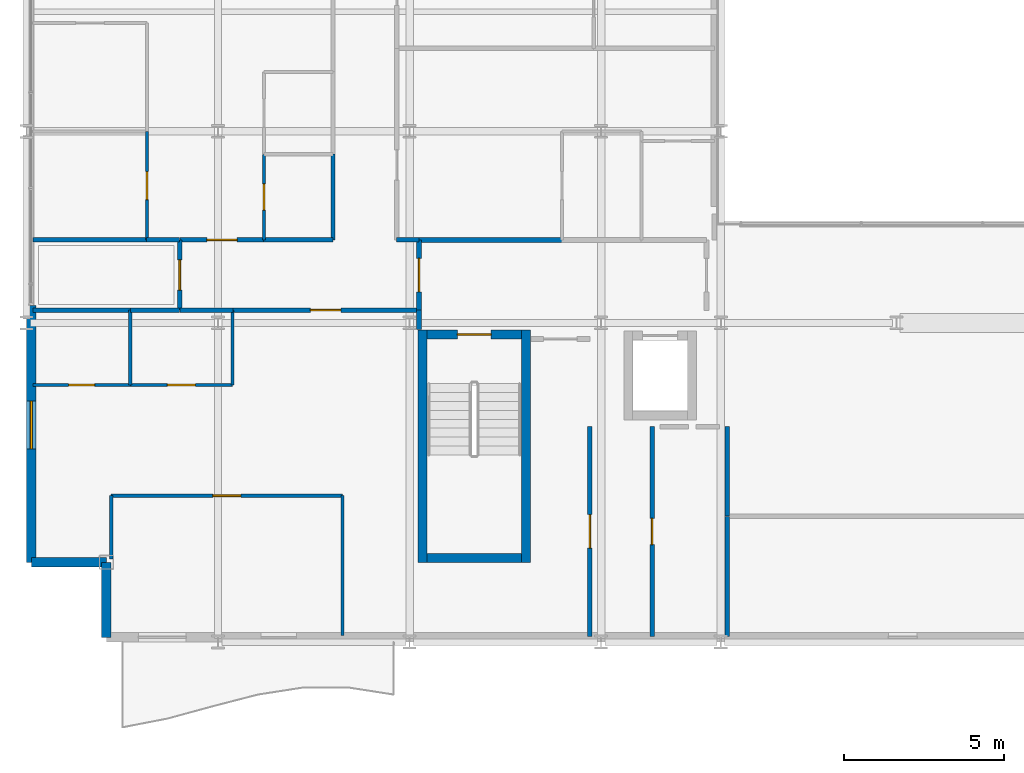
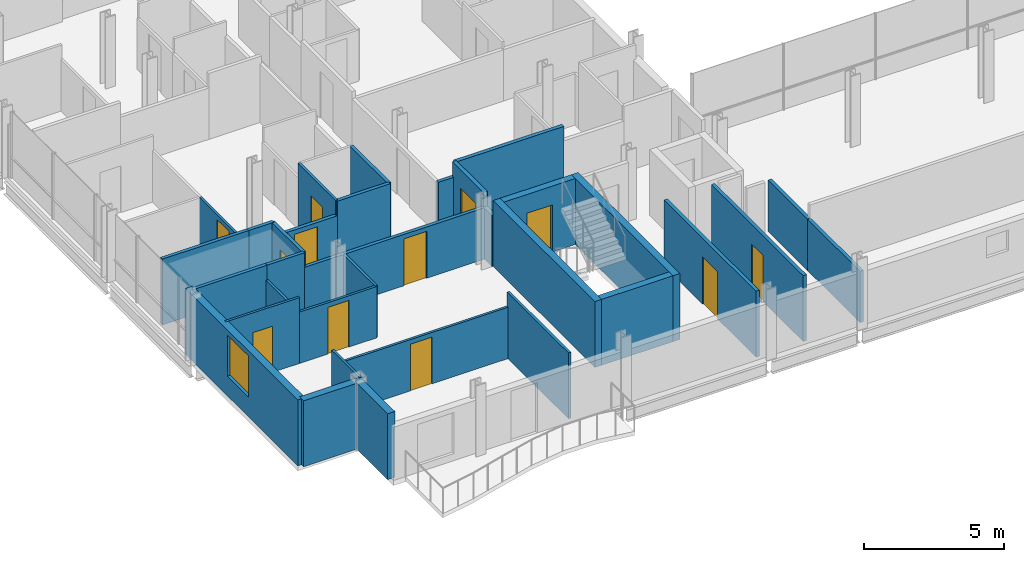
# One storey, part 31 of 40: 34 walls, 12 doors, 1 window, 13 openings.
"""IFC4 building model written with IfcOpenShell, lengths in metres."""

from ifc_helpers import new_model, si_unit, direction, frame, frame_2d, origin, place, context, subcontext, project, spatial, rectangle, extrude, material, layer, layer_set, type_object, element, fill, save


model = new_model("IFC4")

# Units and contexts
model_context = context("Model", 3, precision=1e-05, world=origin(), true_north=direction((0.0, 1.0)))
body_context = subcontext(model_context, "Body", "Model", "MODEL_VIEW")
ifc_project = project(units=[si_unit("LENGTHUNIT", "METRE"), si_unit("AREAUNIT", "SQUARE_METRE"), si_unit("VOLUMEUNIT", "CUBIC_METRE"), si_unit("PLANEANGLEUNIT", "RADIAN"), si_unit("MASSUNIT", "GRAM", prefix="KILO")], contexts=[model_context])

# Site, building, storey
site_placement = place(None, origin())
site = spatial("IfcSite", under=ifc_project, at=site_placement, CompositionType="ELEMENT")
building_placement = place(site_placement, origin())
building = spatial("IfcBuilding", under=site, at=building_placement, Name="Brevholm Reach", CompositionType="ELEMENT")
storey_placement = place(building_placement, frame((0.0, 0.0, 125.199951171875)))
storey = spatial("IfcBuildingStorey", under=building, at=storey_placement, Name="L37", CompositionType="ELEMENT", Elevation=125.199951171875)

# Walls
ifc_material_1 = material(Name="Concrete C50/60", Category="concrete")
ifc_layer_1 = layer(ifc_material_1, 0.280029296875)
ifc_layer_set_1 = layer_set([ifc_layer_1], Name="Concrete C50/60")
wall_type_1 = type_object("IfcWallType", Name="WAL-COR-280", PredefinedType="SHEAR", material=ifc_layer_set_1)
for number, where, z_axis, x_axis, name in (
    (1, (12.409912109375, 2.5, 0.0), (0.0, 0.0, 1.0), (0.0, 1.0, 0.0), "L37 Escape Stair ST-1 Core Wall W"),
    (2, (15.639892578125, 2.5, 0.0), (0.0, 0.0, 1.0), (0.0, 1.0, 0.0), "L37 Escape Stair ST-1 Core Wall E"),
):
    element("IfcWall", number, at=place(storey_placement, frame(where, z_axis=z_axis, x_axis=x_axis)), inside=storey, type_object=wall_type_1, Name=name, PredefinedType="SHEAR", context=body_context, shape_type="SweptSolid", body=[
        extrude(rectangle(XDim=7.280029296875, YDim=0.280029296875, at=frame_2d((3.64013671875, 0.0))), origin(), (0.0, 0.0, 1.0), 2.880126953125),
    ])
wall_1_placement = place(storey_placement, frame((12.550048828125, 2.639892578125, 0.0), z_axis=(0.0, 0.0, 1.0), x_axis=(1.0, 0.0, 0.0)))
element("IfcWall", 3, at=wall_1_placement, inside=storey, type_object=wall_type_1, Name="L37 Escape Stair ST-1 Core Wall S", PredefinedType="SHEAR", context=body_context, shape_type="SweptSolid", body=[
    extrude(rectangle(XDim=2.949951171875, YDim=0.280029296875, at=frame_2d((1.47509765625, 0.0))), origin(), (0.0, 0.0, 1.0), 2.880126953125),
])

# Wall, opening, door
wall_2_placement = place(storey_placement, frame((15.5, 9.639892578125, 0.0), z_axis=(0.0, 0.0, 1.0), x_axis=(-1.0, 0.0, 0.0)))
wall_2 = element("IfcWall", 4, at=wall_2_placement, inside=storey, type_object=wall_type_1, Name="L37 Escape Stair ST-1 Core Wall N", PredefinedType="SHEAR", context=body_context, shape_type="SweptSolid", body=[
    extrude(rectangle(XDim=2.949951171875, YDim=0.280029296875, at=frame_2d((1.47509765625, 0.0))), origin(), (0.0, 0.0, 1.0), 2.880126953125),
])
opening_1_placement = place(wall_2_placement, frame((0.949951171875, 0.0, 0.0)))
opening_1 = element("IfcOpeningElement", 5, at=opening_1_placement, cuts=wall_2, Name="Opening SD-ST-1", PredefinedType="OPENING", context=body_context, shape_type="SweptSolid", body=[
    extrude(rectangle(XDim=1.050048828125, YDim=2.06005859375, at=frame_2d((0.52490234375, 1.030029296875))), frame((0.0, 0.14990234375, 0.0), z_axis=(0.0, -1.0, 0.0), x_axis=(1.0, 0.0, 0.0)), (0.0, 0.0, 1.0), 0.300048828125),
])
ifc_material_2 = material(Name="Hardwood-Lipped Steel-Core Fire and Smoke Door", Category="steel")
door_type_1 = type_object("IfcDoorType", Name="DOR-INT-FD60S", OperationType="NOTDEFINED", PredefinedType="DOOR", material=ifc_material_2)
door_1_placement = place(opening_1_placement, origin())
door_1 = element("IfcDoor", 6, at=door_1_placement, inside=storey, type_object=door_type_1, Name="L37 Protected Stair ST-1 Lobby Door", OperationType="SINGLE_SWING_LEFT", OverallHeight=2.06005859375, OverallWidth=1.050048828125, PredefinedType="DOOR", context=body_context, shape_type="SweptSolid", body=[
    extrude(rectangle(XDim=1.050048828125, YDim=2.06005859375, at=frame_2d((0.52490234375, 1.030029296875))), frame((0.0, 0.02490234375, 0.0), z_axis=(0.0, -1.0, 0.0), x_axis=(1.0, 0.0, 0.0)), (0.0, 0.0, 1.0), 0.050048828125),
])
fill(opening_1, door_1)

# Walls
ifc_material_3 = material(Name="Concrete C40/50", Category="concrete")
ifc_layer_2 = layer(ifc_material_3, 0.300048828125)
ifc_layer_set_2 = layer_set([ifc_layer_2], Name="Concrete C40/50")
wall_type_2 = type_object("IfcWallType", Name="WAL-EXT-300", PredefinedType="STANDARD", material=ifc_layer_set_2)
for number, where, z_axis, x_axis, name in (
    (7, (2.5, 2.5, 0.0), (0.0, 0.0, 1.0), (0.0, -1.0, 0.0), "L37 Facade Wall WAL-L37-CSW1"),
    (8, (0.14990234375, 2.5, 0.0), (0.0, 0.0, 1.0), (1.0, 0.0, 0.0), "L37 Facade Wall WAL-L37-CSW2"),
):
    element("IfcWall", number, at=place(storey_placement, frame(where, z_axis=z_axis, x_axis=x_axis)), inside=storey, type_object=wall_type_2, Name=name, PredefinedType="STANDARD", context=body_context, shape_type="SweptSolid", body=[
        extrude(rectangle(XDim=2.35009765625, YDim=0.300048828125, at=frame_2d((1.175048828125, 0.0))), origin(), (0.0, 0.0, 1.0), 2.880126953125),
    ])

# Wall, opening, window
wall_3_placement = place(storey_placement, frame((0.14990234375, 10.550048828125, 0.0), z_axis=(0.0, 0.0, 1.0), x_axis=(0.0, -1.0, 0.0)))
wall_3 = element("IfcWall", 9, at=wall_3_placement, inside=storey, type_object=wall_type_2, Name="L37 Facade Wall WAL-L37-W-S", PredefinedType="STANDARD", context=body_context, shape_type="SweptSolid", body=[
    extrude(rectangle(XDim=8.050048828125, YDim=0.300048828125, at=frame_2d((4.02490234375, 0.0))), origin(), (0.0, 0.0, 1.0), 2.880126953125),
])
opening_2_placement = place(wall_3_placement, frame((3.0, 0.0, 0.860107421875)))
opening_2 = element("IfcOpeningElement", 10, at=opening_2_placement, cuts=wall_3, Name="Opening WN-05", PredefinedType="OPENING", context=body_context, shape_type="SweptSolid", body=[
    extrude(rectangle(XDim=1.5, YDim=1.800048828125, at=frame_2d((0.75, 0.89990234375))), frame((0.0, 0.159912109375, 0.0), z_axis=(0.0, -1.0, 0.0), x_axis=(1.0, 0.0, 0.0)), (0.0, 0.0, 1.0), 0.320068359375),
])
ifc_material_4 = material(Name="Dark Anodised Aluminium and Solar-Control IGU Glass", Category="aluminium")
window_type = type_object("IfcWindowType", Name="WIN-RES-1500", PartitioningType="SINGLE_PANEL", PredefinedType="WINDOW", material=ifc_material_4)
window_placement = place(opening_2_placement, origin())
window = element("IfcWindow", 11, at=window_placement, inside=storey, type_object=window_type, Name="L37 Window WIN-L37-WS-1", OverallHeight=1.800048828125, OverallWidth=1.5, PartitioningType="SINGLE_PANEL", PredefinedType="WINDOW", context=body_context, shape_type="SweptSolid", body=[
    extrude(rectangle(XDim=1.5, YDim=1.800048828125, at=frame_2d((0.75, 0.89990234375))), frame((0.0, 0.030029296875, 0.0), z_axis=(0.0, -1.0, 0.0), x_axis=(1.0, 0.0, 0.0)), (0.0, 0.0, 1.0), 0.06005859375),
])
fill(opening_2, window)

# Wall
ifc_material_5 = material(Name="Moisture-Resistant Acoustic Gypsum Stud Partition 100 mm", Category="gypsum")
ifc_layer_3 = layer(ifc_material_5, 0.10009765625)
ifc_layer_set_3 = layer_set([ifc_layer_3], Name="Moisture-Resistant Acoustic Gypsum Stud Partition 100 mm")
wall_type_3 = type_object("IfcWallType", Name="WAL-PRT-100", PredefinedType="PARTITIONING", material=ifc_layer_set_3)
wall_4_placement = place(storey_placement, frame((3.25, 8.053955078125, 0.0), z_axis=(0.0, 0.0, 1.0), x_axis=(0.0, 1.0, 0.0)))
element("IfcWall", 12, at=wall_4_placement, inside=storey, type_object=wall_type_3, Name="L37 Internal Partition 061", PredefinedType="PARTITIONING", context=body_context, shape_type="SweptSolid", body=[
    extrude(rectangle(XDim=2.345947265625, YDim=0.10009765625, at=frame_2d((1.1728515625, 0.0))), origin(), (0.0, 0.0, 1.0), 2.242919921875),
])

# Wall, opening, door
wall_5_placement = place(storey_placement, frame((0.199951171875, 8.053955078125, 0.0), z_axis=(0.0, 0.0, 1.0), x_axis=(1.0, 0.0, 0.0)))
wall_5 = element("IfcWall", 13, at=wall_5_placement, inside=storey, type_object=wall_type_3, Name="L37 Internal Partition 062", PredefinedType="PARTITIONING", context=body_context, shape_type="SweptSolid", body=[
    extrude(rectangle(XDim=3.050048828125, YDim=0.10009765625, at=frame_2d((1.52490234375, 0.0))), origin(), (0.0, 0.0, 1.0), 2.880126953125),
])
opening_3_placement = place(wall_5_placement, frame((1.114990234375, 0.0, 0.0)))
opening_3 = element("IfcOpeningElement", 14, at=opening_3_placement, cuts=wall_5, Name="Opening ID-03", PredefinedType="OPENING", context=body_context, shape_type="SweptSolid", body=[
    extrude(rectangle(XDim=0.820068359375, YDim=2.02001953125, at=frame_2d((0.41015625, 1.010009765625))), frame((0.0, 0.06005859375, 0.0), z_axis=(0.0, -1.0, 0.0), x_axis=(1.0, 0.0, 0.0)), (0.0, 0.0, 1.0), 0.1201171875),
])
ifc_material_6 = material(Name="Moisture-Resistant Painted Timber Internal Bathroom Door", Category="wood")
door_type_2 = type_object("IfcDoorType", Name="DOR-BATH-820", OperationType="NOTDEFINED", PredefinedType="DOOR", material=ifc_material_6)
door_2_placement = place(opening_3_placement, origin())
door_2 = element("IfcDoor", 15, at=door_2_placement, inside=storey, type_object=door_type_2, Name="L37 Internal Door 023", OperationType="SINGLE_SWING_LEFT", OverallHeight=2.02001953125, OverallWidth=0.820068359375, PredefinedType="DOOR", context=body_context, shape_type="SweptSolid", body=[
    extrude(rectangle(XDim=0.820068359375, YDim=2.02001953125, at=frame_2d((0.41015625, 1.010009765625))), frame((0.0, 0.02490234375, 0.0), z_axis=(0.0, -1.0, 0.0), x_axis=(1.0, 0.0, 0.0)), (0.0, 0.0, 1.0), 0.050048828125),
])
fill(opening_3, door_2)

wall_6_placement = place(storey_placement, frame((3.25390625, 8.053955078125, 0.0), z_axis=(0.0, 0.0, 1.0), x_axis=(1.0, 0.0, 0.0)))
wall_6 = element("IfcWall", 16, at=wall_6_placement, inside=storey, type_object=wall_type_3, Name="L37 Internal Partition 064", PredefinedType="PARTITIONING", context=body_context, shape_type="SweptSolid", body=[
    extrude(rectangle(XDim=3.196044921875, YDim=0.10009765625, at=frame_2d((1.59814453125, 0.0))), origin(), (0.0, 0.0, 1.0), 2.242919921875),
])
opening_4_placement = place(wall_6_placement, frame((1.157958984375, 0.0, 0.0)))
opening_4 = element("IfcOpeningElement", 17, at=opening_4_placement, cuts=wall_6, Name="Opening ID-01", PredefinedType="OPENING", context=body_context, shape_type="SweptSolid", body=[
    extrude(rectangle(XDim=0.8798828125, YDim=2.0400390625, at=frame_2d((0.43994140625, 1.02001953125))), frame((0.0, 0.06005859375, 0.0), z_axis=(0.0, -1.0, 0.0), x_axis=(1.0, 0.0, 0.0)), (0.0, 0.0, 1.0), 0.1201171875),
])
ifc_material_7 = material(Name="Lacquered Ash Solid-Core Acoustic Internal Door", Category="timber")
door_type_3 = type_object("IfcDoorType", Name="DOR-INT-880", OperationType="NOTDEFINED", PredefinedType="DOOR", material=ifc_material_7)
door_3_placement = place(opening_4_placement, origin())
door_3 = element("IfcDoor", 18, at=door_3_placement, inside=storey, type_object=door_type_3, Name="L37 Internal Door 024", OperationType="SINGLE_SWING_RIGHT", OverallHeight=2.0400390625, OverallWidth=0.8798828125, PredefinedType="DOOR", context=body_context, shape_type="SweptSolid", body=[
    extrude(rectangle(XDim=0.8798828125, YDim=2.0400390625, at=frame_2d((0.43994140625, 1.02001953125))), frame((0.0, 0.02490234375, 0.0), z_axis=(0.0, -1.0, 0.0), x_axis=(1.0, 0.0, 0.0)), (0.0, 0.0, 1.0), 0.050048828125),
])
fill(opening_4, door_3)

# Walls
wall_7_placement = place(storey_placement, frame((6.449951171875, 8.053955078125, 0.0), z_axis=(0.0, 0.0, 1.0), x_axis=(0.0, 1.0, 0.0)))
element("IfcWall", 19, at=wall_7_placement, inside=storey, type_object=wall_type_3, Name="L37 Internal Partition 065", PredefinedType="PARTITIONING", context=body_context, shape_type="SweptSolid", body=[
    extrude(rectangle(XDim=2.342041015625, YDim=0.10009765625, at=frame_2d((1.1708984375, 0.0))), origin(), (0.0, 0.0, 1.0), 2.242919921875),
])
wall_8_placement = place(storey_placement, frame((2.64990234375, 2.599365234375, 0.0), z_axis=(0.0, 0.0, 1.0), x_axis=(0.0, 1.0, 0.0)))
element("IfcWall", 20, at=wall_8_placement, inside=storey, type_object=wall_type_3, Name="L37 Internal Partition 067", PredefinedType="PARTITIONING", context=body_context, shape_type="SweptSolid", body=[
    extrude(rectangle(XDim=1.986572265625, YDim=0.10009765625, at=frame_2d((0.9931640625, 0.0))), origin(), (0.0, 0.0, 1.0), 2.880126953125),
])
wall_9_placement = place(storey_placement, frame((9.89990234375, 0.199951171875, 0.0), z_axis=(0.0, 0.0, 1.0), x_axis=(0.0, 1.0, 0.0)))
element("IfcWall", 21, at=wall_9_placement, inside=storey, type_object=wall_type_3, Name="L37 Internal Partition 068", PredefinedType="PARTITIONING", context=body_context, shape_type="SweptSolid", body=[
    extrude(rectangle(XDim=4.385986328125, YDim=0.10009765625, at=frame_2d((2.19287109375, 0.0))), origin(), (0.0, 0.0, 1.0), 2.880126953125),
])

# Wall, opening, door
wall_10_placement = place(storey_placement, frame((2.64990234375, 4.5859375, 0.0), z_axis=(0.0, 0.0, 1.0), x_axis=(1.0, 0.0, 0.0)))
wall_10 = element("IfcWall", 22, at=wall_10_placement, inside=storey, type_object=wall_type_3, Name="L37 Internal Partition 069", PredefinedType="PARTITIONING", context=body_context, shape_type="SweptSolid", body=[
    extrude(rectangle(XDim=7.25, YDim=0.10009765625, at=frame_2d((3.625, 0.0))), origin(), (0.0, 0.0, 1.0), 2.242919921875),
])
opening_5_placement = place(wall_10_placement, frame((3.18505859375, 0.0, 0.0)))
opening_5 = element("IfcOpeningElement", 23, at=opening_5_placement, cuts=wall_10, Name="Opening ID-01", PredefinedType="OPENING", context=body_context, shape_type="SweptSolid", body=[
    extrude(rectangle(XDim=0.8798828125, YDim=2.0400390625, at=frame_2d((0.43994140625, 1.02001953125))), frame((0.0, 0.06005859375, 0.0), z_axis=(0.0, -1.0, 0.0), x_axis=(1.0, 0.0, 0.0)), (0.0, 0.0, 1.0), 0.1201171875),
])
door_4_placement = place(opening_5_placement, origin())
door_4 = element("IfcDoor", 24, at=door_4_placement, inside=storey, type_object=door_type_3, Name="L37 Internal Door 025", OperationType="SINGLE_SWING_LEFT", OverallHeight=2.0400390625, OverallWidth=0.8798828125, PredefinedType="DOOR", context=body_context, shape_type="SweptSolid", body=[
    extrude(rectangle(XDim=0.8798828125, YDim=2.0400390625, at=frame_2d((0.43994140625, 1.02001953125))), frame((0.0, 0.02490234375, 0.0), z_axis=(0.0, -1.0, 0.0), x_axis=(1.0, 0.0, 0.0)), (0.0, 0.0, 1.0), 0.050048828125),
])
fill(opening_5, door_4)

wall_11_placement = place(storey_placement, frame((7.43798828125, 12.60400390625, 0.0), z_axis=(0.0, 0.0, 1.0), x_axis=(0.0, 1.0, 0.0)))
wall_11 = element("IfcWall", 25, at=wall_11_placement, inside=storey, type_object=wall_type_3, Name="L37 Internal Partition 085", PredefinedType="PARTITIONING", context=body_context, shape_type="SweptSolid", body=[
    extrude(rectangle(XDim=2.679931640625, YDim=0.10009765625, at=frame_2d((1.33984375, 0.0))), origin(), (0.0, 0.0, 1.0), 2.880126953125),
])
opening_6_placement = place(wall_11_placement, frame((0.929931640625, 0.0, 0.0)))
opening_6 = element("IfcOpeningElement", 26, at=opening_6_placement, cuts=wall_11, Name="Opening ID-03", PredefinedType="OPENING", context=body_context, shape_type="SweptSolid", body=[
    extrude(rectangle(XDim=0.820068359375, YDim=2.02001953125, at=frame_2d((0.41015625, 1.010009765625))), frame((0.0, 0.06005859375, 0.0), z_axis=(0.0, -1.0, 0.0), x_axis=(1.0, 0.0, 0.0)), (0.0, 0.0, 1.0), 0.1201171875),
])
door_5_placement = place(opening_6_placement, origin())
door_5 = element("IfcDoor", 27, at=door_5_placement, inside=storey, type_object=door_type_2, Name="L37 Internal Door 030", OperationType="SINGLE_SWING_RIGHT", OverallHeight=2.02001953125, OverallWidth=0.820068359375, PredefinedType="DOOR", context=body_context, shape_type="SweptSolid", body=[
    extrude(rectangle(XDim=0.820068359375, YDim=2.02001953125, at=frame_2d((0.41015625, 1.010009765625))), frame((0.0, 0.02490234375, 0.0), z_axis=(0.0, -1.0, 0.0), x_axis=(1.0, 0.0, 0.0)), (0.0, 0.0, 1.0), 0.050048828125),
])
fill(opening_6, door_5)

wall_12_placement = place(storey_placement, frame((3.77197265625, 12.60400390625, 0.0), z_axis=(0.0, 0.0, 1.0), x_axis=(0.0, 1.0, 0.0)))
wall_12 = element("IfcWall", 28, at=wall_12_placement, inside=storey, type_object=wall_type_3, Name="L37 Internal Partition 089", PredefinedType="PARTITIONING", context=body_context, shape_type="SweptSolid", body=[
    extrude(rectangle(XDim=3.39599609375, YDim=0.10009765625, at=frame_2d((1.697998046875, 0.0))), origin(), (0.0, 0.0, 1.0), 2.242919921875),
])
opening_7_placement = place(wall_12_placement, frame((1.258056640625, 0.0, 0.0)))
opening_7 = element("IfcOpeningElement", 29, at=opening_7_placement, cuts=wall_12, Name="Opening ID-01", PredefinedType="OPENING", context=body_context, shape_type="SweptSolid", body=[
    extrude(rectangle(XDim=0.8798828125, YDim=2.0400390625, at=frame_2d((0.43994140625, 1.02001953125))), frame((0.0, 0.06005859375, 0.0), z_axis=(0.0, -1.0, 0.0), x_axis=(1.0, 0.0, 0.0)), (0.0, 0.0, 1.0), 0.1201171875),
])
door_6_placement = place(opening_7_placement, origin())
door_6 = element("IfcDoor", 30, at=door_6_placement, inside=storey, type_object=door_type_3, Name="L37 Internal Door 032", OperationType="SINGLE_SWING_RIGHT", OverallHeight=2.0400390625, OverallWidth=0.8798828125, PredefinedType="DOOR", context=body_context, shape_type="SweptSolid", body=[
    extrude(rectangle(XDim=0.8798828125, YDim=2.0400390625, at=frame_2d((0.43994140625, 1.02001953125))), frame((0.0, 0.02490234375, 0.0), z_axis=(0.0, -1.0, 0.0), x_axis=(1.0, 0.0, 0.0)), (0.0, 0.0, 1.0), 0.050048828125),
])
fill(opening_7, door_6)

# Walls
ifc_material_8 = material(Name="Twin-Stud Acoustic Fire-Rated Gypsum Partition 140 mm", Category="gypsum")
ifc_layer_4 = layer(ifc_material_8, 0.139892578125)
ifc_layer_set_4 = layer_set([ifc_layer_4], Name="Twin-Stud Acoustic Fire-Rated Gypsum Partition 140 mm")
wall_type_4 = type_object("IfcWallType", Name="WAL-PRT-140", PredefinedType="PARTITIONING", material=ifc_layer_set_4)
wall_13_placement = place(storey_placement, frame((21.949951171875, 0.179931640625, 0.0), z_axis=(0.0, 0.0, 1.0), x_axis=(0.0, 1.0, 0.0)))
element("IfcWall", 31, at=wall_13_placement, inside=storey, type_object=wall_type_4, Name="L37 Internal Partition 004", PredefinedType="PARTITIONING", context=body_context, shape_type="SweptSolid", body=[
    extrude(rectangle(XDim=3.760009765625, YDim=0.139892578125, at=frame_2d((1.8798828125, 0.0))), origin(), (0.0, 0.0, 1.0), 2.242919921875),
])
wall_14_placement = place(storey_placement, frame((21.949951171875, 3.944091796875, 0.0), z_axis=(0.0, 0.0, 1.0), x_axis=(0.0, 1.0, 0.0)))
element("IfcWall", 32, at=wall_14_placement, inside=storey, type_object=wall_type_4, Name="L37 Internal Partition 005", PredefinedType="PARTITIONING", context=body_context, shape_type="SweptSolid", body=[
    extrude(rectangle(XDim=2.817138671875, YDim=0.139892578125, at=frame_2d((1.40869140625, 0.0))), origin(), (0.0, 0.0, 1.0), 2.242919921875),
])

# Wall, opening, door
wall_15_placement = place(storey_placement, frame((17.64990234375, 0.179931640625, 0.0), z_axis=(0.0, 0.0, 1.0), x_axis=(0.0, 1.0, 0.0)))
wall_15 = element("IfcWall", 33, at=wall_15_placement, inside=storey, type_object=wall_type_4, Name="L37 Internal Partition 006", PredefinedType="PARTITIONING", context=body_context, shape_type="SweptSolid", body=[
    extrude(rectangle(XDim=6.581298828125, YDim=0.139892578125, at=frame_2d((3.29052734375, 0.0))), origin(), (0.0, 0.0, 1.0), 2.880126953125),
])
opening_8_placement = place(wall_15_placement, frame((2.765625, 0.0, 0.0)))
opening_8 = element("IfcOpeningElement", 34, at=opening_8_placement, cuts=wall_15, Name="Opening FD-01", PredefinedType="OPENING", context=body_context, shape_type="SweptSolid", body=[
    extrude(rectangle(XDim=1.050048828125, YDim=2.06005859375, at=frame_2d((0.52490234375, 1.030029296875))), frame((0.0, 0.079833984375, 0.0), z_axis=(0.0, -1.0, 0.0), x_axis=(1.0, 0.0, 0.0)), (0.0, 0.0, 1.0), 0.159912109375),
])
door_7_placement = place(opening_8_placement, origin())
door_7 = element("IfcDoor", 35, at=door_7_placement, inside=storey, type_object=door_type_1, Name="L37 Internal Door 003", OperationType="SINGLE_SWING_LEFT", OverallHeight=2.06005859375, OverallWidth=1.050048828125, PredefinedType="DOOR", context=body_context, shape_type="SweptSolid", body=[
    extrude(rectangle(XDim=1.050048828125, YDim=2.06005859375, at=frame_2d((0.52490234375, 1.030029296875))), frame((0.0, 0.02490234375, 0.0), z_axis=(0.0, -1.0, 0.0), x_axis=(1.0, 0.0, 0.0)), (0.0, 0.0, 1.0), 0.050048828125),
])
fill(opening_8, door_7)

wall_16_placement = place(storey_placement, frame((19.60009765625, 0.179931640625, 0.0), z_axis=(0.0, 0.0, 1.0), x_axis=(0.0, 1.0, 0.0)))
wall_16 = element("IfcWall", 36, at=wall_16_placement, inside=storey, type_object=wall_type_4, Name="L37 Internal Partition 008", PredefinedType="PARTITIONING", context=body_context, shape_type="SweptSolid", body=[
    extrude(rectangle(XDim=6.570068359375, YDim=0.139892578125, at=frame_2d((3.28515625, 0.0))), origin(), (0.0, 0.0, 1.0), 2.880126953125),
])
opening_9_placement = place(wall_16_placement, frame((2.875, 0.0, 0.0)))
opening_9 = element("IfcOpeningElement", 37, at=opening_9_placement, cuts=wall_16, Name="Opening ID-02", PredefinedType="OPENING", context=body_context, shape_type="SweptSolid", body=[
    extrude(rectangle(XDim=0.820068359375, YDim=2.02001953125, at=frame_2d((0.41015625, 1.010009765625))), frame((0.0, 0.079833984375, 0.0), z_axis=(0.0, -1.0, 0.0), x_axis=(1.0, 0.0, 0.0)), (0.0, 0.0, 1.0), 0.159912109375),
])
ifc_material_9 = material(Name="Moisture-Resistant Painted Timber Fire-Rated Riser and Service Door", Category="wood")
door_type_4 = type_object("IfcDoorType", Name="DOR-SRV-820", OperationType="NOTDEFINED", PredefinedType="DOOR", material=ifc_material_9)
door_8_placement = place(opening_9_placement, origin())
door_8 = element("IfcDoor", 38, at=door_8_placement, inside=storey, type_object=door_type_4, Name="L37 Access Door 059", OperationType="SINGLE_SWING_LEFT", OverallHeight=2.02001953125, OverallWidth=0.820068359375, PredefinedType="DOOR", context=body_context, shape_type="SweptSolid", body=[
    extrude(rectangle(XDim=0.820068359375, YDim=2.02001953125, at=frame_2d((0.41015625, 1.010009765625))), frame((0.0, 0.02490234375, 0.0), z_axis=(0.0, -1.0, 0.0), x_axis=(1.0, 0.0, 0.0)), (0.0, 0.0, 1.0), 0.050048828125),
])
fill(opening_9, door_8)

# Wall
wall_17_placement = place(storey_placement, frame((4.800048828125, 10.39990234375, 0.0), z_axis=(0.0, 0.0, 1.0), x_axis=(1.0, 0.0, 0.0)))
element("IfcWall", 39, at=wall_17_placement, inside=storey, type_object=wall_type_4, Name="L37 Internal Partition 023", PredefinedType="PARTITIONING", context=body_context, shape_type="SweptSolid", body=[
    extrude(rectangle(XDim=1.6611328125, YDim=0.139892578125, at=frame_2d((0.83056640625, 0.0))), origin(), (0.0, 0.0, 1.0), 2.242919921875),
])

# Wall, opening, door
wall_18_placement = place(storey_placement, frame((6.442626953125, 10.39990234375, 0.0), z_axis=(0.0, 0.0, 1.0), x_axis=(1.0, 0.0, 0.0)))
wall_18 = element("IfcWall", 40, at=wall_18_placement, inside=storey, type_object=wall_type_4, Name="L37 Internal Partition 024", PredefinedType="PARTITIONING", context=body_context, shape_type="SweptSolid", body=[
    extrude(rectangle(XDim=5.853271484375, YDim=0.139892578125, at=frame_2d((2.9267578125, 0.0))), origin(), (0.0, 0.0, 1.0), 2.242919921875),
])
opening_10_placement = place(wall_18_placement, frame((2.45166015625, 0.0, 0.0)))
opening_10 = element("IfcOpeningElement", 41, at=opening_10_placement, cuts=wall_18, Name="Opening ID-30", PredefinedType="OPENING", context=body_context, shape_type="SweptSolid", body=[
    extrude(rectangle(XDim=0.949951171875, YDim=2.050048828125, at=frame_2d((0.47509765625, 1.02490234375))), frame((0.0, 0.079833984375, 0.0), z_axis=(0.0, -1.0, 0.0), x_axis=(1.0, 0.0, 0.0)), (0.0, 0.0, 1.0), 0.159912109375),
])
ifc_material_10 = material(Name="European Oak Veneered Solid-Core Fire Entrance Door", Category="timber")
door_type_5 = type_object("IfcDoorType", Name="DOR-FLT-FD30S", OperationType="NOTDEFINED", PredefinedType="DOOR", material=ifc_material_10)
door_9_placement = place(opening_10_placement, origin())
door_9 = element("IfcDoor", 42, at=door_9_placement, inside=storey, type_object=door_type_5, Name="L37 Internal Door 012", OperationType="SINGLE_SWING_RIGHT", OverallHeight=2.050048828125, OverallWidth=0.949951171875, PredefinedType="DOOR", context=body_context, shape_type="SweptSolid", body=[
    extrude(rectangle(XDim=0.949951171875, YDim=2.050048828125, at=frame_2d((0.47509765625, 1.02490234375))), frame((0.0, 0.02490234375, 0.0), z_axis=(0.0, -1.0, 0.0), x_axis=(1.0, 0.0, 0.0)), (0.0, 0.0, 1.0), 0.050048828125),
])
fill(opening_10, door_9)

wall_19_placement = place(storey_placement, frame((4.800048828125, 10.39990234375, 0.0), z_axis=(0.0, 0.0, 1.0), x_axis=(0.0, 1.0, 0.0)))
wall_19 = element("IfcWall", 43, at=wall_19_placement, inside=storey, type_object=wall_type_4, Name="L37 Internal Partition 025", PredefinedType="PARTITIONING", context=body_context, shape_type="SweptSolid", body=[
    extrude(rectangle(XDim=2.2001953125, YDim=0.139892578125, at=frame_2d((1.10009765625, 0.0))), origin(), (0.0, 0.0, 1.0), 2.880126953125),
])
opening_11_placement = place(wall_19_placement, frame((0.625, 0.0, 0.0)))
opening_11 = element("IfcOpeningElement", 44, at=opening_11_placement, cuts=wall_19, Name="Opening ID-30", PredefinedType="OPENING", context=body_context, shape_type="SweptSolid", body=[
    extrude(rectangle(XDim=0.949951171875, YDim=2.050048828125, at=frame_2d((0.47509765625, 1.02490234375))), frame((0.0, 0.079833984375, 0.0), z_axis=(0.0, -1.0, 0.0), x_axis=(1.0, 0.0, 0.0)), (0.0, 0.0, 1.0), 0.159912109375),
])
door_10_placement = place(opening_11_placement, origin())
door_10 = element("IfcDoor", 45, at=door_10_placement, inside=storey, type_object=door_type_5, Name="L37 Internal Door 013", OperationType="SINGLE_SWING_LEFT", OverallHeight=2.050048828125, OverallWidth=0.949951171875, PredefinedType="DOOR", context=body_context, shape_type="SweptSolid", body=[
    extrude(rectangle(XDim=0.949951171875, YDim=2.050048828125, at=frame_2d((0.47509765625, 1.02490234375))), frame((0.0, 0.02490234375, 0.0), z_axis=(0.0, -1.0, 0.0), x_axis=(1.0, 0.0, 0.0)), (0.0, 0.0, 1.0), 0.050048828125),
])
fill(opening_11, door_10)

# Wall
wall_20_placement = place(storey_placement, frame((7.4267578125, 12.60009765625, 0.0), z_axis=(0.0, 0.0, 1.0), x_axis=(1.0, 0.0, 0.0)))
element("IfcWall", 46, at=wall_20_placement, inside=storey, type_object=wall_type_4, Name="L37 Internal Partition 026", PredefinedType="PARTITIONING", context=body_context, shape_type="SweptSolid", body=[
    extrude(rectangle(XDim=2.1806640625, YDim=0.139892578125, at=frame_2d((1.09033203125, 0.0))), origin(), (0.0, 0.0, 1.0), 2.880126953125),
])

# Wall, opening, door
wall_21_placement = place(storey_placement, frame((4.800048828125, 12.60009765625, 0.0), z_axis=(0.0, 0.0, 1.0), x_axis=(1.0, 0.0, 0.0)))
wall_21 = element("IfcWall", 47, at=wall_21_placement, inside=storey, type_object=wall_type_4, Name="L37 Internal Partition 027", PredefinedType="PARTITIONING", context=body_context, shape_type="SweptSolid", body=[
    extrude(rectangle(XDim=2.645263671875, YDim=0.139892578125, at=frame_2d((1.32275390625, 0.0))), origin(), (0.0, 0.0, 1.0), 2.242919921875),
])
opening_12_placement = place(wall_21_placement, frame((0.84765625, 0.0, 0.0)))
opening_12 = element("IfcOpeningElement", 48, at=opening_12_placement, cuts=wall_21, Name="Opening ID-30", PredefinedType="OPENING", context=body_context, shape_type="SweptSolid", body=[
    extrude(rectangle(XDim=0.949951171875, YDim=2.050048828125, at=frame_2d((0.47509765625, 1.02490234375))), frame((0.0, 0.079833984375, 0.0), z_axis=(0.0, -1.0, 0.0), x_axis=(1.0, 0.0, 0.0)), (0.0, 0.0, 1.0), 0.159912109375),
])
door_11_placement = place(opening_12_placement, origin())
door_11 = element("IfcDoor", 49, at=door_11_placement, inside=storey, type_object=door_type_5, Name="L37 Internal Door 014", OperationType="SINGLE_SWING_RIGHT", OverallHeight=2.050048828125, OverallWidth=0.949951171875, PredefinedType="DOOR", context=body_context, shape_type="SweptSolid", body=[
    extrude(rectangle(XDim=0.949951171875, YDim=2.050048828125, at=frame_2d((0.47509765625, 1.02490234375))), frame((0.0, 0.02490234375, 0.0), z_axis=(0.0, -1.0, 0.0), x_axis=(1.0, 0.0, 0.0)), (0.0, 0.0, 1.0), 0.050048828125),
])
fill(opening_12, door_11)

# Walls
wall_22_placement = place(storey_placement, frame((11.5927734375, 12.60009765625, 0.0), z_axis=(0.0, 0.0, 1.0), x_axis=(1.0, 0.0, 0.0)))
element("IfcWall", 50, at=wall_22_placement, inside=storey, type_object=wall_type_4, Name="L37 Internal Partition 028", PredefinedType="PARTITIONING", context=body_context, shape_type="SweptSolid", body=[
    extrude(rectangle(XDim=0.703125, YDim=0.139892578125, at=frame_2d((0.3515625, 0.0))), origin(), (0.0, 0.0, 1.0), 2.242919921875),
])
wall_23_placement = place(storey_placement, frame((9.60009765625, 12.60400390625, 0.0), z_axis=(0.0, 0.0, 1.0), x_axis=(0.0, 1.0, 0.0)))
element("IfcWall", 51, at=wall_23_placement, inside=storey, type_object=wall_type_4, Name="L37 Internal Partition 032", PredefinedType="PARTITIONING", context=body_context, shape_type="SweptSolid", body=[
    extrude(rectangle(XDim=2.69140625, YDim=0.139892578125, at=frame_2d((1.345703125, 0.0))), origin(), (0.0, 0.0, 1.0), 2.880126953125),
])
wall_24_placement = place(storey_placement, frame((0.199951171875, 10.39990234375, 0.0), z_axis=(0.0, 0.0, 1.0), x_axis=(1.0, 0.0, 0.0)))
element("IfcWall", 52, at=wall_24_placement, inside=storey, type_object=wall_type_4, Name="L37 Internal Partition 063", PredefinedType="PARTITIONING", context=body_context, shape_type="SweptSolid", body=[
    extrude(rectangle(XDim=3.050048828125, YDim=0.139892578125, at=frame_2d((1.52490234375, 0.0))), origin(), (0.0, 0.0, 1.0), 2.880126953125),
])
wall_25_placement = place(storey_placement, frame((3.25390625, 10.39990234375, 0.0), z_axis=(0.0, 0.0, 1.0), x_axis=(1.0, 0.0, 0.0)))
element("IfcWall", 53, at=wall_25_placement, inside=storey, type_object=wall_type_4, Name="L37 Internal Partition 066", PredefinedType="PARTITIONING", context=body_context, shape_type="SweptSolid", body=[
    extrude(rectangle(XDim=1.5419921875, YDim=0.139892578125, at=frame_2d((0.77099609375, 0.0))), origin(), (0.0, 0.0, 1.0), 2.880126953125),
])
wall_26_placement = place(storey_placement, frame((0.199951171875, 12.60009765625, 0.0), z_axis=(0.0, 0.0, 1.0), x_axis=(1.0, 0.0, 0.0)))
element("IfcWall", 54, at=wall_26_placement, inside=storey, type_object=wall_type_4, Name="L37 Internal Partition 070", PredefinedType="PARTITIONING", context=body_context, shape_type="SweptSolid", body=[
    extrude(rectangle(XDim=3.583251953125, YDim=0.139892578125, at=frame_2d((1.79150390625, 0.0))), origin(), (0.0, 0.0, 1.0), 2.880126953125),
])
wall_27_placement = place(storey_placement, frame((3.7646484375, 12.60009765625, 0.0), z_axis=(0.0, 0.0, 1.0), x_axis=(1.0, 0.0, 0.0)))
element("IfcWall", 55, at=wall_27_placement, inside=storey, type_object=wall_type_4, Name="L37 Internal Partition 071", PredefinedType="PARTITIONING", context=body_context, shape_type="SweptSolid", body=[
    extrude(rectangle(XDim=1.03125, YDim=0.139892578125, at=frame_2d((0.515625, 0.0))), origin(), (0.0, 0.0, 1.0), 2.880126953125),
])

# Wall, opening, door
ifc_material_11 = material(Name="Twin-Frame Fire-Rated Gypsum Board and Mineral Wool 160 mm", Category="gypsum")
ifc_layer_5 = layer(ifc_material_11, 0.159912109375)
ifc_layer_set_5 = layer_set([ifc_layer_5], Name="Twin-Frame Fire-Rated Gypsum Board and Mineral Wool 160 mm")
wall_type_5 = type_object("IfcWallType", Name="WAL-PRT-160", PredefinedType="PARTITIONING", material=ifc_layer_set_5)
wall_28_placement = place(storey_placement, frame((12.300048828125, 10.388671875, 0.0), z_axis=(0.0, 0.0, 1.0), x_axis=(0.0, 1.0, 0.0)))
wall_28 = element("IfcWall", 56, at=wall_28_placement, inside=storey, type_object=wall_type_5, Name="L37 Internal Partition 013", PredefinedType="PARTITIONING", context=body_context, shape_type="SweptSolid", body=[
    extrude(rectangle(XDim=2.21142578125, YDim=0.159912109375, at=frame_2d((1.105712890625, 0.0))), origin(), (0.0, 0.0, 1.0), 2.880126953125),
])
opening_13_placement = place(wall_28_placement, frame((0.58056640625, 0.0, 0.0)))
opening_13 = element("IfcOpeningElement", 57, at=opening_13_placement, cuts=wall_28, Name="Opening FD-01", PredefinedType="OPENING", context=body_context, shape_type="SweptSolid", body=[
    extrude(rectangle(XDim=1.050048828125, YDim=2.06005859375, at=frame_2d((0.52490234375, 1.030029296875))), frame((0.0, 0.08984375, 0.0), z_axis=(0.0, -1.0, 0.0), x_axis=(1.0, 0.0, 0.0)), (0.0, 0.0, 1.0), 0.179931640625),
])
door_12_placement = place(opening_13_placement, origin())
door_12 = element("IfcDoor", 58, at=door_12_placement, inside=storey, type_object=door_type_1, Name="L37 Internal Door 008", OperationType="SINGLE_SWING_RIGHT", OverallHeight=2.06005859375, OverallWidth=1.050048828125, PredefinedType="DOOR", context=body_context, shape_type="SweptSolid", body=[
    extrude(rectangle(XDim=1.050048828125, YDim=2.06005859375, at=frame_2d((0.52490234375, 1.030029296875))), frame((0.0, 0.02490234375, 0.0), z_axis=(0.0, -1.0, 0.0), x_axis=(1.0, 0.0, 0.0)), (0.0, 0.0, 1.0), 0.050048828125),
])
fill(opening_13, door_12)

# Walls
wall_29_placement = place(storey_placement, frame((12.300048828125, 9.7900390625, 0.0), z_axis=(0.0, 0.0, 1.0), x_axis=(0.0, 1.0, 0.0)))
element("IfcWall", 59, at=wall_29_placement, inside=storey, type_object=wall_type_5, Name="L37 Internal Partition 015", PredefinedType="PARTITIONING", context=body_context, shape_type="SweptSolid", body=[
    extrude(rectangle(XDim=0.6171875, YDim=0.159912109375, at=frame_2d((0.30859375, 0.0))), origin(), (0.0, 0.0, 1.0), 2.242919921875),
])
wall_30_placement = place(storey_placement, frame((12.300048828125, 12.60009765625, 0.0), z_axis=(0.0, 0.0, 1.0), x_axis=(1.0, 0.0, 0.0)))
element("IfcWall", 60, at=wall_30_placement, inside=storey, type_object=wall_type_5, Name="L37 Internal Partition 018", PredefinedType="PARTITIONING", context=body_context, shape_type="SweptSolid", body=[
    extrude(rectangle(XDim=4.480224609375, YDim=0.159912109375, at=frame_2d((2.240234375, 0.0))), origin(), (0.0, 0.0, 1.0), 2.880126953125),
])

save(model, "model.ifc")
